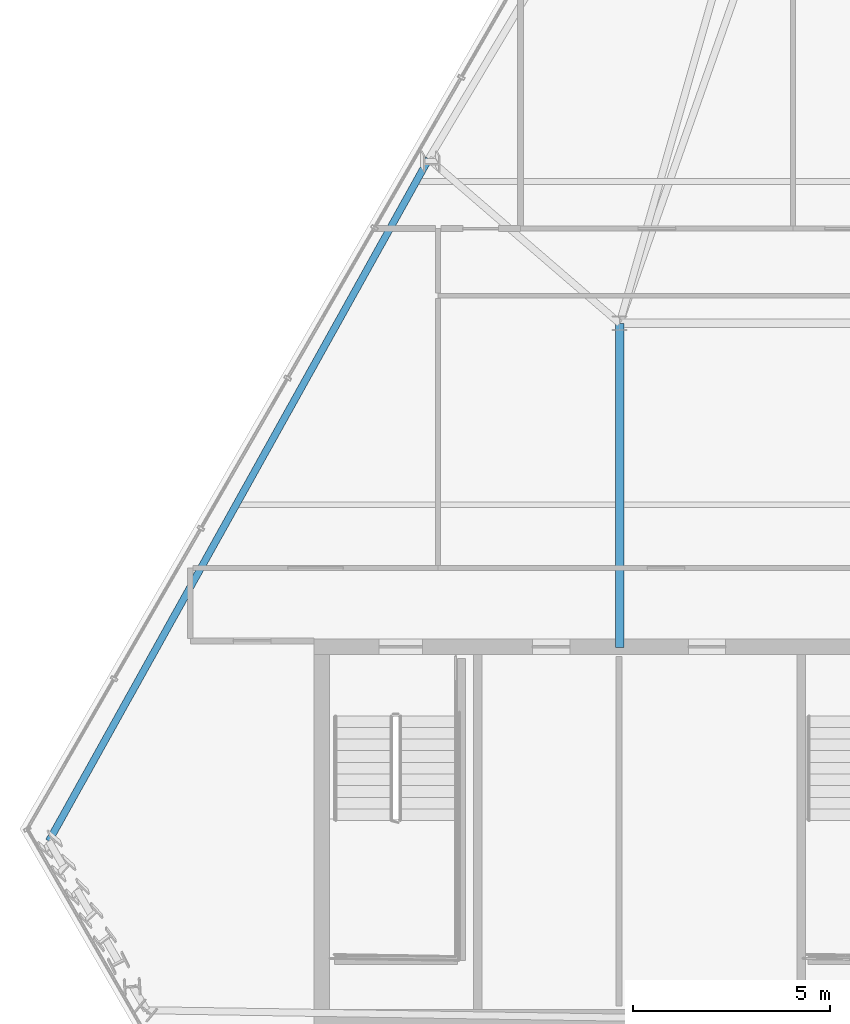
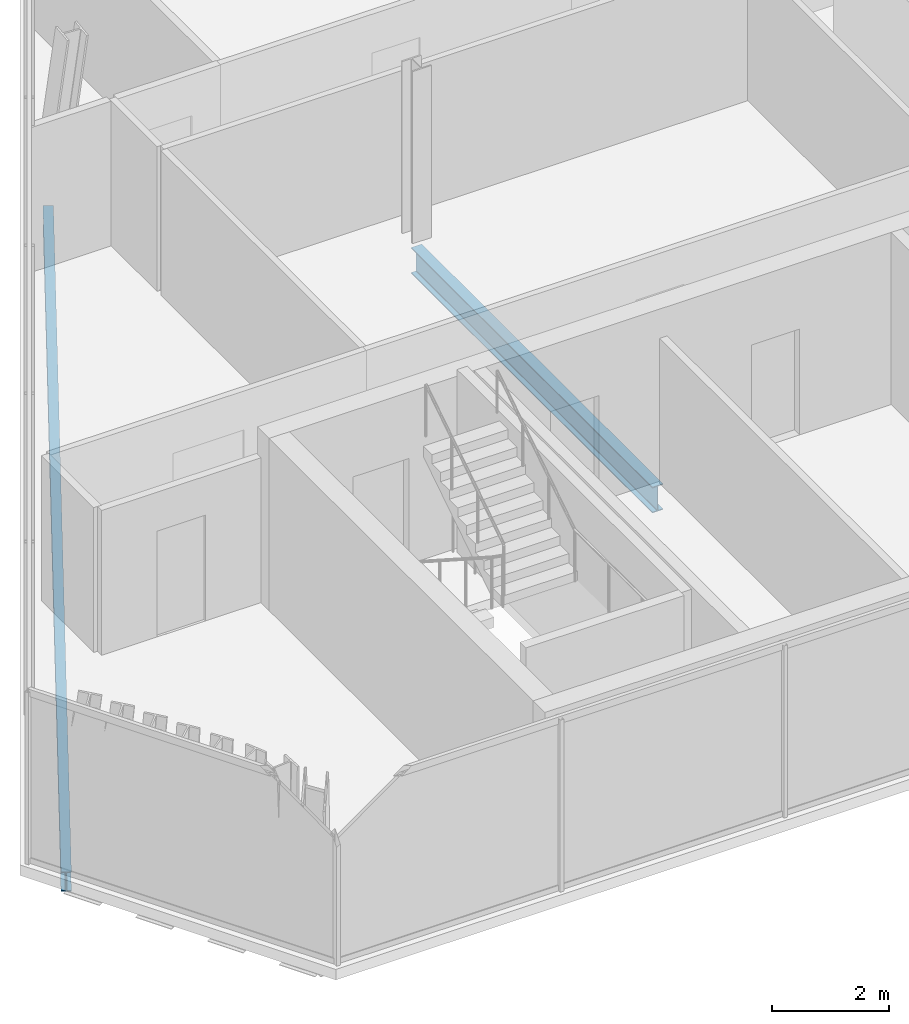
# One storey, part 6 of 32: 2 beams.
"""IFC4 building model written with IfcOpenShell, lengths in metres."""

from ifc_helpers import new_model, si_unit, direction, frame, origin, origin_2d, place, context, subcontext, project, spatial, i_section, extrude, material, material_profile, profile_set, type_object, element, save


model = new_model("IFC4")

# Units and contexts
model_context = context("Model", 3, precision=1e-05, world=origin(), true_north=direction((0.0, 1.0)))
body_context = subcontext(model_context, "Body", "Model", "MODEL_VIEW")
ifc_project = project(units=[si_unit("LENGTHUNIT", "METRE"), si_unit("AREAUNIT", "SQUARE_METRE"), si_unit("VOLUMEUNIT", "CUBIC_METRE"), si_unit("PLANEANGLEUNIT", "RADIAN"), si_unit("MASSUNIT", "GRAM", prefix="KILO")], contexts=[model_context])

# Site, building, storey
site_placement = place(None, origin())
site = spatial("IfcSite", under=ifc_project, at=site_placement, CompositionType="ELEMENT")
building_placement = place(site_placement, origin())
building = spatial("IfcBuilding", under=site, at=building_placement, Name="Ndaravel Arena Tower", CompositionType="ELEMENT")
storey_placement = place(building_placement, frame((0.0, 0.0, 259.800048828125)))
storey = spatial("IfcBuildingStorey", under=building, at=storey_placement, Name="L63", CompositionType="ELEMENT", Elevation=259.800048828125)

# Beams
ifc_material_1 = material(Name="Steel S355", Category="steel")
ifc_material_profile_1 = material_profile(ifc_material_1, i_section(OverallWidth=0.210693359375, OverallDepth=0.53955078125, WebThickness=0.01171875, FlangeThickness=0.018798828125, FilletRadius=0.0126953125, at=origin_2d()), Name="UB 533x210x109")
ifc_profile_set_1 = profile_set([ifc_material_profile_1], Name="Steel S355")
beam_type_1 = type_object("IfcBeamType", Name="BM-GIRD-UB533", PredefinedType="BEAM", material=ifc_profile_set_1)
beam_1_placement = place(storey_placement, frame((34.199951171875, 14.97998046875, -0.48974609375), z_axis=(0.0, 1.0, 0.0), x_axis=(-1.0, 0.0, 0.0)))
element("IfcBeam", 1, at=beam_1_placement, inside=storey, type_object=beam_type_1, Name="L63 Spine Link Girder SLG-01", PredefinedType="BEAM", context=body_context, shape_type="SweptSolid", body=[
    extrude(i_section(OverallWidth=0.210693359375, OverallDepth=0.53955078125, WebThickness=0.01171875, FlangeThickness=0.018798828125, FilletRadius=0.0126953125, at=origin_2d()), origin(), (0.0, 0.0, 1.0), 8.219970703125),
])
ifc_material_2 = material(Name="Steel S355", Category="steel")
ifc_material_profile_2 = material_profile(ifc_material_2, i_section(OverallWidth=0.179931640625, OverallDepth=0.39990234375, WebThickness=0.008544921875, FlangeThickness=0.013427734375, FilletRadius=0.02099609375, at=origin_2d()), Name="IPE 400")
ifc_profile_set_2 = profile_set([ifc_material_profile_2], Name="Steel S355")
beam_type_2 = type_object("IfcBeamType", Name="BM-SPAN-IPE400", PredefinedType="SPANDREL", material=ifc_profile_set_2)
beam_2_placement = place(storey_placement, frame((29.362060546875, 27.36962890625, -0.420166015625), z_axis=(-0.486544183945, -0.873655971804, 0.0), x_axis=(0.873655971804, -0.486544183945, 0.0)))
element("IfcBeam", 2, at=beam_2_placement, inside=storey, type_object=beam_type_2, Name="L63 Perimeter Spandrel Beam SP-19", PredefinedType="SPANDREL", context=body_context, shape_type="SweptSolid", body=[
    extrude(i_section(OverallWidth=0.179931640625, OverallDepth=0.39990234375, WebThickness=0.008544921875, FlangeThickness=0.013427734375, FilletRadius=0.02099609375, at=origin_2d()), origin(), (0.0, 0.0, 1.0), 19.79736328125),
])

save(model, "model.ifc")
